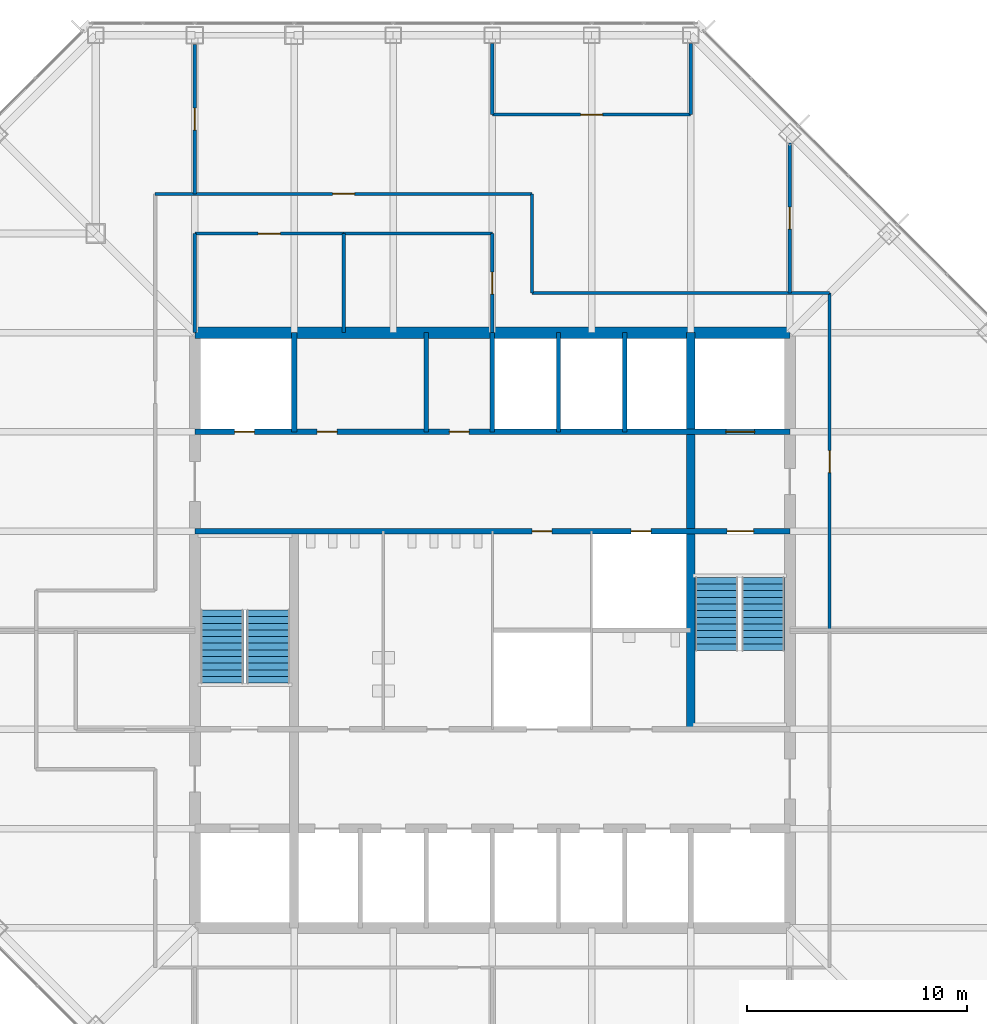
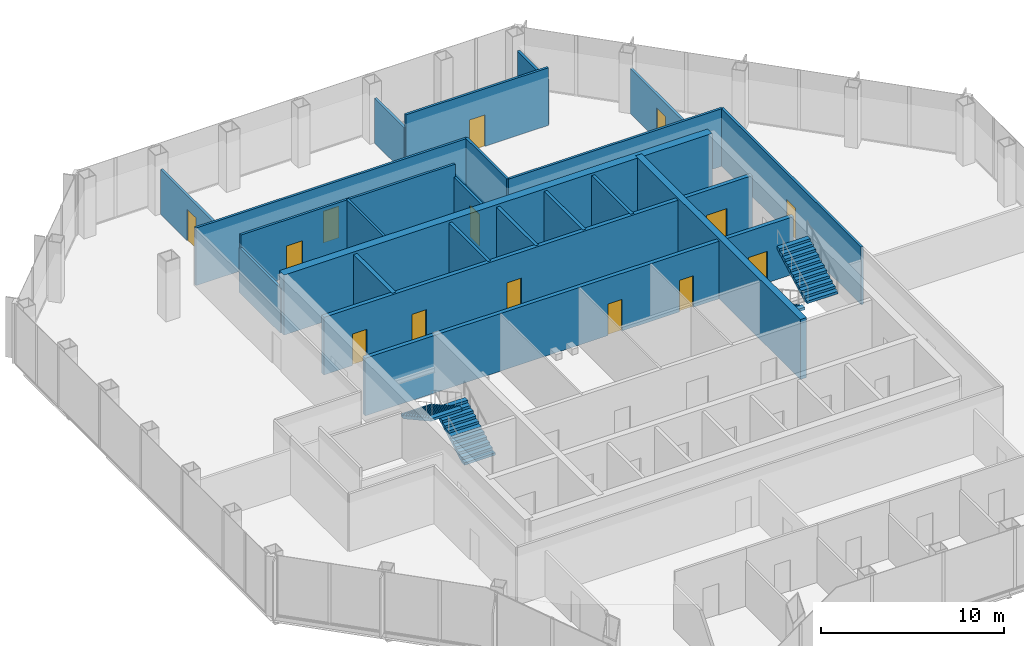
# One storey, part 10 of 12: 23 walls, 14 doors, 4 stair flights, 14 openings, 2 elements without a shape of their own.
"""IFC4 building model written with IfcOpenShell, lengths in metres."""

from ifc_helpers import new_model, si_unit, direction, frame, frame_2d, origin, place, context, subcontext, project, spatial, polyline, rectangle, outline, extrude, material, layer, layer_set, type_object, element, fill, aggregate, save


model = new_model("IFC4")

# Units and contexts
model_context = context("Model", 3, precision=1e-05, world=origin(), true_north=direction((0.0, 1.0)))
body_context = subcontext(model_context, "Body", "Model", "MODEL_VIEW")
ifc_project = project(units=[si_unit("LENGTHUNIT", "METRE"), si_unit("AREAUNIT", "SQUARE_METRE"), si_unit("VOLUMEUNIT", "CUBIC_METRE"), si_unit("PLANEANGLEUNIT", "RADIAN"), si_unit("MASSUNIT", "GRAM", prefix="KILO")], contexts=[model_context])

# Site, building, storey
site_placement = place(None, origin())
site = spatial("IfcSite", under=ifc_project, at=site_placement, CompositionType="ELEMENT")
building_placement = place(site_placement, origin())
building = spatial("IfcBuilding", under=site, at=building_placement, Name="Corais Broadcast Tower", CompositionType="ELEMENT")
storey_placement = place(building_placement, frame((0.0, 0.0, 147.60009765625)))
storey = spatial("IfcBuildingStorey", under=building, at=storey_placement, Name="L33", CompositionType="ELEMENT", Elevation=147.60009765625)

# Wall
ifc_material_1 = material(Name="Concrete blockwork class A, grouted, two-hour", Category="masonry")
ifc_layer_1 = layer(ifc_material_1, 0.25)
ifc_layer_set_1 = layer_set([ifc_layer_1], Name="Concrete blockwork class A, grouted, two-hour")
wall_type_1 = type_object("IfcWallType", Name="Core lobby wall 250", PredefinedType="SOLIDWALL", material=ifc_layer_set_1)
wall_1_placement = place(storey_placement, frame((18.0, 36.0, 0.0), z_axis=(0.0, 0.0, 1.0), x_axis=(0.0, 1.0, 0.0)))
element("IfcWall", 1, at=wall_1_placement, inside=storey, type_object=wall_type_1, Name="CL2 core shaft wall X18B L33", PredefinedType="SOLIDWALL", context=body_context, shape_type="SweptSolid", body=[
    extrude(rectangle(XDim=4.5, YDim=0.25, at=frame_2d((2.25, 0.0))), origin(), (0.0, 0.0, 1.0), 3.83984375),
])

# Wall, openings, doors
wall_2_placement = place(storey_placement, frame((13.5, 31.5, 0.0), z_axis=(0.0, 0.0, 1.0), x_axis=(1.0, 0.0, 0.0)))
wall_2 = element("IfcWall", 2, at=wall_2_placement, inside=storey, type_object=wall_type_1, Name="CL2 core lobby wall Y315 L33", PredefinedType="SOLIDWALL", context=body_context, shape_type="SweptSolid", body=[
    extrude(rectangle(XDim=27.0, YDim=0.25, at=frame_2d((13.5, 0.0))), origin(), (0.0, 0.0, 1.0), 3.83984375),
])
opening_1_placement = place(wall_2_placement, frame((24.14990234375, 0.0, 0.0)))
opening_1 = element("IfcOpeningElement", 3, at=opening_1_placement, cuts=wall_2, Name="Opening FD1", PredefinedType="OPENING", context=body_context, shape_type="SweptSolid", body=[
    extrude(rectangle(XDim=1.199951171875, YDim=2.10009765625, at=frame_2d((0.60009765625, 1.050048828125))), frame((0.0, 0.135009765625, 0.0), z_axis=(0.0, -1.0, 0.0), x_axis=(1.0, 0.0, 0.0)), (0.0, 0.0, 1.0), 0.27001953125),
])
opening_2_placement = place(wall_2_placement, frame((15.300048828125, 0.0, 0.0)))
opening_2 = element("IfcOpeningElement", 4, at=opening_2_placement, cuts=wall_2, Name="Opening RD1", PredefinedType="OPENING", context=body_context, shape_type="SweptSolid", body=[
    extrude(rectangle(XDim=0.89990234375, YDim=2.10009765625, at=frame_2d((0.449951171875, 1.050048828125))), frame((0.0, 0.135009765625, 0.0), z_axis=(0.0, -1.0, 0.0), x_axis=(1.0, 0.0, 0.0)), (0.0, 0.0, 1.0), 0.27001953125),
])
opening_3_placement = place(wall_2_placement, frame((19.800048828125, 0.0, 0.0)))
opening_3 = element("IfcOpeningElement", 5, at=opening_3_placement, cuts=wall_2, Name="Opening RD1", PredefinedType="OPENING", context=body_context, shape_type="SweptSolid", body=[
    extrude(rectangle(XDim=0.89990234375, YDim=2.10009765625, at=frame_2d((0.449951171875, 1.050048828125))), frame((0.0, 0.135009765625, 0.0), z_axis=(0.0, -1.0, 0.0), x_axis=(1.0, 0.0, 0.0)), (0.0, 0.0, 1.0), 0.27001953125),
])
ifc_material_2 = material(Name="Steel fire door", Category="steel")
door_type_1 = type_object("IfcDoorType", Name="Fire door 1200x2100", OperationType="SINGLE_SWING_LEFT", PredefinedType="DOOR", material=ifc_material_2)
door_1_placement = place(opening_1_placement, origin())
door_1 = element("IfcDoor", 6, at=door_1_placement, inside=storey, type_object=door_type_1, Name="FD1 stair B door L33", OperationType="SINGLE_SWING_RIGHT", OverallHeight=2.10009765625, OverallWidth=1.199951171875, PredefinedType="DOOR", context=body_context, shape_type="SweptSolid", body=[
    extrude(rectangle(XDim=1.199951171875, YDim=2.10009765625, at=frame_2d((0.60009765625, 1.050048828125))), frame((0.0, 0.02490234375, 0.0), z_axis=(0.0, -1.0, 0.0), x_axis=(1.0, 0.0, 0.0)), (0.0, 0.0, 1.0), 0.050048828125),
])
fill(opening_1, door_1)
ifc_material_3 = material(Name="Steel fire door", Category="steel")
door_type_2 = type_object("IfcDoorType", Name="Riser door 900x2100", OperationType="SINGLE_SWING_LEFT", PredefinedType="DOOR", material=ifc_material_3)
door_2_placement = place(opening_2_placement, origin())
door_2 = element("IfcDoor", 7, at=door_2_placement, inside=storey, type_object=door_type_2, Name="RD1 stationery store door L33", OperationType="SINGLE_SWING_RIGHT", OverallHeight=2.10009765625, OverallWidth=0.89990234375, PredefinedType="DOOR", context=body_context, shape_type="SweptSolid", body=[
    extrude(rectangle(XDim=0.89990234375, YDim=2.10009765625, at=frame_2d((0.449951171875, 1.050048828125))), frame((0.0, 0.02490234375, 0.0), z_axis=(0.0, -1.0, 0.0), x_axis=(1.0, 0.0, 0.0)), (0.0, 0.0, 1.0), 0.050048828125),
])
fill(opening_2, door_2)
door_3_placement = place(opening_3_placement, origin())
door_3 = element("IfcDoor", 8, at=door_3_placement, inside=storey, type_object=door_type_2, Name="RD1 riser door L33", OperationType="SINGLE_SWING_RIGHT", OverallHeight=2.10009765625, OverallWidth=0.89990234375, PredefinedType="DOOR", context=body_context, shape_type="SweptSolid", body=[
    extrude(rectangle(XDim=0.89990234375, YDim=2.10009765625, at=frame_2d((0.449951171875, 1.050048828125))), frame((0.0, 0.02490234375, 0.0), z_axis=(0.0, -1.0, 0.0), x_axis=(1.0, 0.0, 0.0)), (0.0, 0.0, 1.0), 0.050048828125),
])
fill(opening_3, door_3)

# Walls
ifc_material_4 = material(Name="Concrete C50/60", Category="concrete")
ifc_layer_2 = layer(ifc_material_4, 0.39990234375)
ifc_layer_set_2 = layer_set([ifc_layer_2], Name="Concrete C50/60")
wall_type_2 = type_object("IfcWallType", Name="Core wall 400", PredefinedType="SHEAR", material=ifc_layer_set_2)
wall_3_placement = place(storey_placement, frame((36.0, 22.5, 0.0), z_axis=(0.0, 0.0, 1.0), x_axis=(0.0, 1.0, 0.0)))
element("IfcWall", 9, at=wall_3_placement, inside=storey, type_object=wall_type_2, Name="CR400 core wall X36B L33", PredefinedType="SHEAR", context=body_context, shape_type="SweptSolid", body=[
    extrude(rectangle(XDim=18.0, YDim=0.39990234375, at=frame_2d((9.0, 0.0))), origin(), (0.0, 0.0, 1.0), 4.0),
])
ifc_material_5 = material(Name="Concrete C50/60", Category="concrete")
ifc_layer_3 = layer(ifc_material_5, 0.5)
ifc_layer_set_3 = layer_set([ifc_layer_3], Name="Concrete C50/60")
wall_type_3 = type_object("IfcWallType", Name="Core wall 500", PredefinedType="SHEAR", material=ifc_layer_set_3)
wall_4_placement = place(storey_placement, frame((40.5, 40.5, 0.0), z_axis=(0.0, 0.0, 1.0), x_axis=(-1.0, 0.0, 0.0)))
element("IfcWall", 10, at=wall_4_placement, inside=storey, type_object=wall_type_3, Name="CR500 core wall N L33", PredefinedType="SHEAR", context=body_context, shape_type="SweptSolid", body=[
    extrude(rectangle(XDim=27.0, YDim=0.5, at=frame_2d((13.5, 0.0))), origin(), (0.0, 0.0, 1.0), 4.0),
])

# Wall, openings, doors
ifc_material_6 = material(Name="Concrete blockwork class A, grouted, four-hour", Category="masonry")
ifc_layer_4 = layer(ifc_material_6, 0.25)
ifc_layer_set_4 = layer_set([ifc_layer_4], Name="Concrete blockwork class A, grouted, four-hour")
wall_type_4 = type_object("IfcWallType", Name="Emergency lift shaft wall 250", PredefinedType="SOLIDWALL", material=ifc_layer_set_4)
wall_5_placement = place(storey_placement, frame((13.5, 36.0, 0.0), z_axis=(0.0, 0.0, 1.0), x_axis=(1.0, 0.0, 0.0)))
wall_5 = element("IfcWall", 11, at=wall_5_placement, inside=storey, type_object=wall_type_4, Name="LS2 core lobby wall Y36 L33", PredefinedType="SOLIDWALL", context=body_context, shape_type="SweptSolid", body=[
    extrude(rectangle(XDim=27.0, YDim=0.25, at=frame_2d((13.5, 0.0))), origin(), (0.0, 0.0, 1.0), 3.83984375),
])
opening_4_placement = place(wall_5_placement, frame((1.800048828125, 0.0, 0.0)))
opening_4 = element("IfcOpeningElement", 12, at=opening_4_placement, cuts=wall_5, Name="Opening RD1", PredefinedType="OPENING", context=body_context, shape_type="SweptSolid", body=[
    extrude(rectangle(XDim=0.89990234375, YDim=2.10009765625, at=frame_2d((0.449951171875, 1.050048828125))), frame((0.0, 0.135009765625, 0.0), z_axis=(0.0, -1.0, 0.0), x_axis=(1.0, 0.0, 0.0)), (0.0, 0.0, 1.0), 0.27001953125),
])
opening_5_placement = place(wall_5_placement, frame((5.550048828125, 0.0, 0.0)))
opening_5 = element("IfcOpeningElement", 13, at=opening_5_placement, cuts=wall_5, Name="Opening RD1", PredefinedType="OPENING", context=body_context, shape_type="SweptSolid", body=[
    extrude(rectangle(XDim=0.89990234375, YDim=2.10009765625, at=frame_2d((0.449951171875, 1.050048828125))), frame((0.0, 0.135009765625, 0.0), z_axis=(0.0, -1.0, 0.0), x_axis=(1.0, 0.0, 0.0)), (0.0, 0.0, 1.0), 0.27001953125),
])
opening_6_placement = place(wall_5_placement, frame((11.550048828125, 0.0, 0.0)))
opening_6 = element("IfcOpeningElement", 14, at=opening_6_placement, cuts=wall_5, Name="Opening RD1", PredefinedType="OPENING", context=body_context, shape_type="SweptSolid", body=[
    extrude(rectangle(XDim=0.89990234375, YDim=2.10009765625, at=frame_2d((0.449951171875, 1.050048828125))), frame((0.0, 0.135009765625, 0.0), z_axis=(0.0, -1.0, 0.0), x_axis=(1.0, 0.0, 0.0)), (0.0, 0.0, 1.0), 0.27001953125),
])
opening_7_placement = place(wall_5_placement, frame((24.10009765625, 0.0, 0.0)))
opening_7 = element("IfcOpeningElement", 15, at=opening_7_placement, cuts=wall_5, Name="Opening LD2", PredefinedType="OPENING", context=body_context, shape_type="SweptSolid", body=[
    extrude(rectangle(XDim=1.300048828125, YDim=2.199951171875, at=frame_2d((0.64990234375, 1.10009765625))), frame((0.0, 0.135009765625, 0.0), z_axis=(0.0, -1.0, 0.0), x_axis=(1.0, 0.0, 0.0)), (0.0, 0.0, 1.0), 0.27001953125),
])
ifc_material_7 = material(Name="Stainless steel lift door", Category="steel")
door_type_3 = type_object("IfcDoorType", Name="Lift landing door 1300x2200", OperationType="SLIDING_TO_LEFT", PredefinedType="DOOR", material=ifc_material_7)
door_4_placement = place(opening_7_placement, origin())
door_4 = element("IfcDoor", 16, at=door_4_placement, inside=storey, type_object=door_type_3, Name="LD2 FL2 landing door L33", OperationType="SLIDING_TO_LEFT", OverallHeight=2.199951171875, OverallWidth=1.300048828125, PredefinedType="DOOR", context=body_context, shape_type="SweptSolid", body=[
    extrude(rectangle(XDim=1.300048828125, YDim=2.199951171875, at=frame_2d((0.64990234375, 1.10009765625))), frame((0.0, 0.02490234375, 0.0), z_axis=(0.0, -1.0, 0.0), x_axis=(1.0, 0.0, 0.0)), (0.0, 0.0, 1.0), 0.050048828125),
])
fill(opening_7, door_4)
door_5_placement = place(opening_4_placement, origin())
door_5 = element("IfcDoor", 17, at=door_5_placement, inside=storey, type_object=door_type_2, Name="RD1 riser door L33", OperationType="SINGLE_SWING_LEFT", OverallHeight=2.10009765625, OverallWidth=0.89990234375, PredefinedType="DOOR", context=body_context, shape_type="SweptSolid", body=[
    extrude(rectangle(XDim=0.89990234375, YDim=2.10009765625, at=frame_2d((0.449951171875, 1.050048828125))), frame((0.0, 0.02490234375, 0.0), z_axis=(0.0, -1.0, 0.0), x_axis=(1.0, 0.0, 0.0)), (0.0, 0.0, 1.0), 0.050048828125),
])
fill(opening_4, door_5)
door_6_placement = place(opening_5_placement, origin())
door_6 = element("IfcDoor", 18, at=door_6_placement, inside=storey, type_object=door_type_2, Name="RD1 media store door L33", OperationType="SINGLE_SWING_LEFT", OverallHeight=2.10009765625, OverallWidth=0.89990234375, PredefinedType="DOOR", context=body_context, shape_type="SweptSolid", body=[
    extrude(rectangle(XDim=0.89990234375, YDim=2.10009765625, at=frame_2d((0.449951171875, 1.050048828125))), frame((0.0, 0.02490234375, 0.0), z_axis=(0.0, -1.0, 0.0), x_axis=(1.0, 0.0, 0.0)), (0.0, 0.0, 1.0), 0.050048828125),
])
fill(opening_5, door_6)
door_7_placement = place(opening_6_placement, origin())
door_7 = element("IfcDoor", 19, at=door_7_placement, inside=storey, type_object=door_type_2, Name="RD1 tea point door L33", OperationType="SINGLE_SWING_LEFT", OverallHeight=2.10009765625, OverallWidth=0.89990234375, PredefinedType="DOOR", context=body_context, shape_type="SweptSolid", body=[
    extrude(rectangle(XDim=0.89990234375, YDim=2.10009765625, at=frame_2d((0.449951171875, 1.050048828125))), frame((0.0, 0.02490234375, 0.0), z_axis=(0.0, -1.0, 0.0), x_axis=(1.0, 0.0, 0.0)), (0.0, 0.0, 1.0), 0.050048828125),
])
fill(opening_6, door_7)

# Wall, opening, door
ifc_material_8 = material(Name="Gypsum board on steel studs", Category="steel")
ifc_layer_5 = layer(ifc_material_8, 0.14990234375)
ifc_layer_set_5 = layer_set([ifc_layer_5], Name="Gypsum board on steel studs")
wall_type_5 = type_object("IfcWallType", Name="Partition 150", PredefinedType="PARTITIONING", material=ifc_layer_set_5)
wall_6_placement = place(storey_placement, frame((28.800048828125, 46.800048828125, 0.0), z_axis=(0.0, 0.0, 1.0), x_axis=(-1.0, 0.0, 0.0)))
wall_6 = element("IfcWall", 20, at=wall_6_placement, inside=storey, type_object=wall_type_5, Name="IW3 corridor wall L33", PredefinedType="PARTITIONING", context=body_context, shape_type="SweptSolid", body=[
    extrude(rectangle(XDim=17.10009765625, YDim=0.14990234375, at=frame_2d((8.550048828125, 0.0))), origin(), (0.0, 0.0, 1.0), 3.83984375),
])
opening_8_placement = place(wall_6_placement, frame((8.050048828125, 0.0, 0.0)))
opening_8 = element("IfcOpeningElement", 21, at=opening_8_placement, cuts=wall_6, Name="Opening D1", PredefinedType="OPENING", context=body_context, shape_type="SweptSolid", body=[
    extrude(rectangle(XDim=1.0, YDim=2.10009765625, at=frame_2d((0.5, 1.050048828125))), frame((0.0, 0.0849609375, 0.0), z_axis=(0.0, -1.0, 0.0), x_axis=(1.0, 0.0, 0.0)), (0.0, 0.0, 1.0), 0.169921875),
])
ifc_material_9 = material(Name="Timber door", Category="wood")
door_type_4 = type_object("IfcDoorType", Name="Single door 1000x2100", OperationType="SINGLE_SWING_LEFT", PredefinedType="DOOR", material=ifc_material_9)
door_8_placement = place(opening_8_placement, origin())
door_8 = element("IfcDoor", 22, at=door_8_placement, inside=storey, type_object=door_type_4, Name="D1 workplace door L33", OperationType="SINGLE_SWING_LEFT", OverallHeight=2.10009765625, OverallWidth=1.0, PredefinedType="DOOR", context=body_context, shape_type="SweptSolid", body=[
    extrude(rectangle(XDim=1.0, YDim=2.10009765625, at=frame_2d((0.5, 1.050048828125))), frame((0.0, 0.02490234375, 0.0), z_axis=(0.0, -1.0, 0.0), x_axis=(1.0, 0.0, 0.0)), (0.0, 0.0, 1.0), 0.050048828125),
])
fill(opening_8, door_8)

wall_7_placement = place(storey_placement, frame((42.300048828125, 27.00048828125, 0.0), z_axis=(0.0, 0.0, 1.0), x_axis=(0.0, 1.0, 0.0)))
wall_7 = element("IfcWall", 23, at=wall_7_placement, inside=storey, type_object=wall_type_5, Name="IW3 corridor wall L33", PredefinedType="PARTITIONING", context=body_context, shape_type="SweptSolid", body=[
    extrude(rectangle(XDim=15.299560546875, YDim=0.14990234375, at=frame_2d((7.64990234375, 0.0))), origin(), (0.0, 0.0, 1.0), 3.83984375),
])
opening_9_placement = place(wall_7_placement, frame((7.149658203125, 0.0, 0.0)))
opening_9 = element("IfcOpeningElement", 24, at=opening_9_placement, cuts=wall_7, Name="Opening D1", PredefinedType="OPENING", context=body_context, shape_type="SweptSolid", body=[
    extrude(rectangle(XDim=1.0, YDim=2.10009765625, at=frame_2d((0.5, 1.050048828125))), frame((0.0, 0.0849609375, 0.0), z_axis=(0.0, -1.0, 0.0), x_axis=(1.0, 0.0, 0.0)), (0.0, 0.0, 1.0), 0.169921875),
])
door_9_placement = place(opening_9_placement, origin())
door_9 = element("IfcDoor", 25, at=door_9_placement, inside=storey, type_object=door_type_4, Name="D1 workplace door L33", OperationType="SINGLE_SWING_LEFT", OverallHeight=2.10009765625, OverallWidth=1.0, PredefinedType="DOOR", context=body_context, shape_type="SweptSolid", body=[
    extrude(rectangle(XDim=1.0, YDim=2.10009765625, at=frame_2d((0.5, 1.050048828125))), frame((0.0, 0.02490234375, 0.0), z_axis=(0.0, -1.0, 0.0), x_axis=(1.0, 0.0, 0.0)), (0.0, 0.0, 1.0), 0.050048828125),
])
fill(opening_9, door_9)

# Walls
wall_8_placement = place(storey_placement, frame((42.300048828125, 42.300048828125, 0.0), z_axis=(0.0, 0.0, 1.0), x_axis=(-1.0, 0.0, 0.0)))
element("IfcWall", 26, at=wall_8_placement, inside=storey, type_object=wall_type_5, Name="IW3 corridor wall L33", PredefinedType="PARTITIONING", context=body_context, shape_type="SweptSolid", body=[
    extrude(rectangle(XDim=13.5, YDim=0.14990234375, at=frame_2d((6.75, 0.0))), origin(), (0.0, 0.0, 1.0), 3.83984375),
])
for number, where, z_axis, x_axis, name in (
    (27, (28.800048828125, 42.300048828125, 0.0), (0.0, 0.0, 1.0), (0.0, 1.0, 0.0), "IW3 corridor wall L33"),
    (28, (20.25, 40.5, 0.0), (0.0, 0.0, 1.0), (0.0, 1.0, 0.0), "IW3 partition L33"),
):
    element("IfcWall", number, at=place(storey_placement, frame(where, z_axis=z_axis, x_axis=x_axis)), inside=storey, type_object=wall_type_5, Name=name, PredefinedType="PARTITIONING", context=body_context, shape_type="SweptSolid", body=[
        extrude(rectangle(XDim=4.5, YDim=0.14990234375, at=frame_2d((2.25, 0.0))), origin(), (0.0, 0.0, 1.0), 3.83984375),
    ])

# Wall, opening, door
wall_9_placement = place(storey_placement, frame((20.25, 45.0, 0.0), z_axis=(0.0, 0.0, 1.0), x_axis=(-1.0, 0.0, 0.0)))
wall_9 = element("IfcWall", 29, at=wall_9_placement, inside=storey, type_object=wall_type_5, Name="IW3 partition L33", PredefinedType="PARTITIONING", context=body_context, shape_type="SweptSolid", body=[
    extrude(rectangle(XDim=6.75, YDim=0.14990234375, at=frame_2d((3.375, 0.0))), origin(), (0.0, 0.0, 1.0), 3.83984375),
])
opening_10_placement = place(wall_9_placement, frame((2.875, 0.0, 0.0)))
opening_10 = element("IfcOpeningElement", 30, at=opening_10_placement, cuts=wall_9, Name="Opening D1", PredefinedType="OPENING", context=body_context, shape_type="SweptSolid", body=[
    extrude(rectangle(XDim=1.0, YDim=2.10009765625, at=frame_2d((0.5, 1.050048828125))), frame((0.0, 0.0849609375, 0.0), z_axis=(0.0, -1.0, 0.0), x_axis=(1.0, 0.0, 0.0)), (0.0, 0.0, 1.0), 0.169921875),
])
door_10_placement = place(opening_10_placement, origin())
door_10 = element("IfcDoor", 31, at=door_10_placement, inside=storey, type_object=door_type_4, Name="D1 Meeting room door", OperationType="SINGLE_SWING_LEFT", OverallHeight=2.10009765625, OverallWidth=1.0, PredefinedType="DOOR", context=body_context, shape_type="SweptSolid", body=[
    extrude(rectangle(XDim=1.0, YDim=2.10009765625, at=frame_2d((0.5, 1.050048828125))), frame((0.0, 0.02490234375, 0.0), z_axis=(0.0, -1.0, 0.0), x_axis=(1.0, 0.0, 0.0)), (0.0, 0.0, 1.0), 0.050048828125),
])
fill(opening_10, door_10)

# Wall
wall_10_placement = place(storey_placement, frame((13.5, 45.0, 0.0), z_axis=(0.0, 0.0, 1.0), x_axis=(0.0, -1.0, 0.0)))
element("IfcWall", 32, at=wall_10_placement, inside=storey, type_object=wall_type_5, Name="IW3 partition L33", PredefinedType="PARTITIONING", context=body_context, shape_type="SweptSolid", body=[
    extrude(rectangle(XDim=4.5, YDim=0.14990234375, at=frame_2d((2.25, 0.0))), origin(), (0.0, 0.0, 1.0), 2.989013671875),
])

# Wall, opening, door
wall_11_placement = place(storey_placement, frame((27.0, 40.5, 0.0), z_axis=(0.0, 0.0, 1.0), x_axis=(0.0, 1.0, 0.0)))
wall_11 = element("IfcWall", 33, at=wall_11_placement, inside=storey, type_object=wall_type_5, Name="IW3 partition L33", PredefinedType="PARTITIONING", context=body_context, shape_type="SweptSolid", body=[
    extrude(rectangle(XDim=4.5, YDim=0.14990234375, at=frame_2d((2.25, 0.0))), origin(), (0.0, 0.0, 1.0), 2.989013671875),
])
opening_11_placement = place(wall_11_placement, frame((1.75, 0.0, 0.0)))
opening_11 = element("IfcOpeningElement", 34, at=opening_11_placement, cuts=wall_11, Name="Opening D1", PredefinedType="OPENING", context=body_context, shape_type="SweptSolid", body=[
    extrude(rectangle(XDim=1.0, YDim=2.10009765625, at=frame_2d((0.5, 1.050048828125))), frame((0.0, 0.0849609375, 0.0), z_axis=(0.0, -1.0, 0.0), x_axis=(1.0, 0.0, 0.0)), (0.0, 0.0, 1.0), 0.169921875),
])
door_11_placement = place(opening_11_placement, origin())
door_11 = element("IfcDoor", 35, at=door_11_placement, inside=storey, type_object=door_type_4, Name="D1 Meeting room door", OperationType="SINGLE_SWING_LEFT", OverallHeight=2.10009765625, OverallWidth=1.0, PredefinedType="DOOR", context=body_context, shape_type="SweptSolid", body=[
    extrude(rectangle(XDim=1.0, YDim=2.10009765625, at=frame_2d((0.5, 1.050048828125))), frame((0.0, 0.02490234375, 0.0), z_axis=(0.0, -1.0, 0.0), x_axis=(1.0, 0.0, 0.0)), (0.0, 0.0, 1.0), 0.050048828125),
])
fill(opening_11, door_11)

# Wall
wall_12_placement = place(storey_placement, frame((27.0, 45.0, 0.0), z_axis=(0.0, 0.0, 1.0), x_axis=(-1.0, 0.0, 0.0)))
element("IfcWall", 36, at=wall_12_placement, inside=storey, type_object=wall_type_5, Name="IW3 partition L33", PredefinedType="PARTITIONING", context=body_context, shape_type="SweptSolid", body=[
    extrude(rectangle(XDim=6.75, YDim=0.14990234375, at=frame_2d((3.375, 0.0))), origin(), (0.0, 0.0, 1.0), 3.83984375),
])

# Wall, opening, door
wall_13_placement = place(storey_placement, frame((27.0, 50.39990234375, 0.0), z_axis=(0.0, 0.0, 1.0), x_axis=(1.0, 0.0, 0.0)))
wall_13 = element("IfcWall", 37, at=wall_13_placement, inside=storey, type_object=wall_type_5, Name="IW3 partition L33", PredefinedType="PARTITIONING", context=body_context, shape_type="SweptSolid", body=[
    extrude(rectangle(XDim=9.0, YDim=0.14990234375, at=frame_2d((4.5, 0.0))), origin(), (0.0, 0.0, 1.0), 3.83984375),
])
opening_12_placement = place(wall_13_placement, frame((4.0, 0.0, 0.0)))
opening_12 = element("IfcOpeningElement", 38, at=opening_12_placement, cuts=wall_13, Name="Opening D1", PredefinedType="OPENING", context=body_context, shape_type="SweptSolid", body=[
    extrude(rectangle(XDim=1.0, YDim=2.10009765625, at=frame_2d((0.5, 1.050048828125))), frame((0.0, 0.0849609375, 0.0), z_axis=(0.0, -1.0, 0.0), x_axis=(1.0, 0.0, 0.0)), (0.0, 0.0, 1.0), 0.169921875),
])
door_12_placement = place(opening_12_placement, origin())
door_12 = element("IfcDoor", 39, at=door_12_placement, inside=storey, type_object=door_type_4, Name="D1 Pantry door", OperationType="SINGLE_SWING_LEFT", OverallHeight=2.10009765625, OverallWidth=1.0, PredefinedType="DOOR", context=body_context, shape_type="SweptSolid", body=[
    extrude(rectangle(XDim=1.0, YDim=2.10009765625, at=frame_2d((0.5, 1.050048828125))), frame((0.0, 0.02490234375, 0.0), z_axis=(0.0, -1.0, 0.0), x_axis=(1.0, 0.0, 0.0)), (0.0, 0.0, 1.0), 0.050048828125),
])
fill(opening_12, door_12)

# Walls
for number, where, z_axis, x_axis, name in (
    (40, (36.0, 50.39990234375, 0.0), (0.0, 0.0, 1.0), (0.0, 1.0, 0.0), "IW3 partition L33"),
    (41, (27.0, 53.614990234375, 0.0), (0.0, 0.0, 1.0), (0.0, -1.0, 0.0), "IW3 partition L33"),
):
    element("IfcWall", number, at=place(storey_placement, frame(where, z_axis=z_axis, x_axis=x_axis)), inside=storey, type_object=wall_type_5, Name=name, PredefinedType="PARTITIONING", context=body_context, shape_type="SweptSolid", body=[
        extrude(rectangle(XDim=3.215087890625, YDim=0.14990234375, at=frame_2d((1.607421875, 0.0))), origin(), (0.0, 0.0, 1.0), 2.989013671875),
    ])

# Wall, opening, door
wall_14_placement = place(storey_placement, frame((40.5, 49.10498046875, 0.0), z_axis=(0.0, 0.0, 1.0), x_axis=(0.0, -1.0, 0.0)))
wall_14 = element("IfcWall", 42, at=wall_14_placement, inside=storey, type_object=wall_type_5, Name="IW3 partition L33", PredefinedType="PARTITIONING", context=body_context, shape_type="SweptSolid", body=[
    extrude(rectangle(XDim=6.804931640625, YDim=0.14990234375, at=frame_2d((3.40234375, 0.0))), origin(), (0.0, 0.0, 1.0), 2.989013671875),
])
opening_13_placement = place(wall_14_placement, frame((2.902587890625, 0.0, 0.0)))
opening_13 = element("IfcOpeningElement", 43, at=opening_13_placement, cuts=wall_14, Name="Opening D1", PredefinedType="OPENING", context=body_context, shape_type="SweptSolid", body=[
    extrude(rectangle(XDim=1.0, YDim=2.10009765625, at=frame_2d((0.5, 1.050048828125))), frame((0.0, 0.0849609375, 0.0), z_axis=(0.0, -1.0, 0.0), x_axis=(1.0, 0.0, 0.0)), (0.0, 0.0, 1.0), 0.169921875),
])
door_13_placement = place(opening_13_placement, origin())
door_13 = element("IfcDoor", 44, at=door_13_placement, inside=storey, type_object=door_type_4, Name="D1 team room door L33", OperationType="SINGLE_SWING_LEFT", OverallHeight=2.10009765625, OverallWidth=1.0, PredefinedType="DOOR", context=body_context, shape_type="SweptSolid", body=[
    extrude(rectangle(XDim=1.0, YDim=2.10009765625, at=frame_2d((0.5, 1.050048828125))), frame((0.0, 0.02490234375, 0.0), z_axis=(0.0, -1.0, 0.0), x_axis=(1.0, 0.0, 0.0)), (0.0, 0.0, 1.0), 0.050048828125),
])
fill(opening_13, door_13)

wall_15_placement = place(storey_placement, frame((13.5, 46.800048828125, 0.0), z_axis=(0.0, 0.0, 1.0), x_axis=(0.0, 1.0, 0.0)))
wall_15 = element("IfcWall", 45, at=wall_15_placement, inside=storey, type_object=wall_type_5, Name="IW3 partition L33", PredefinedType="PARTITIONING", context=body_context, shape_type="SweptSolid", body=[
    extrude(rectangle(XDim=6.780029296875, YDim=0.14990234375, at=frame_2d((3.39013671875, 0.0))), origin(), (0.0, 0.0, 1.0), 2.989013671875),
])
opening_14_placement = place(wall_15_placement, frame((2.889892578125, 0.0, 0.0)))
opening_14 = element("IfcOpeningElement", 46, at=opening_14_placement, cuts=wall_15, Name="Opening D1", PredefinedType="OPENING", context=body_context, shape_type="SweptSolid", body=[
    extrude(rectangle(XDim=1.0, YDim=2.10009765625, at=frame_2d((0.5, 1.050048828125))), frame((0.0, 0.0849609375, 0.0), z_axis=(0.0, -1.0, 0.0), x_axis=(1.0, 0.0, 0.0)), (0.0, 0.0, 1.0), 0.169921875),
])
door_14_placement = place(opening_14_placement, origin())
door_14 = element("IfcDoor", 47, at=door_14_placement, inside=storey, type_object=door_type_4, Name="D1 team room door L33", OperationType="SINGLE_SWING_LEFT", OverallHeight=2.10009765625, OverallWidth=1.0, PredefinedType="DOOR", context=body_context, shape_type="SweptSolid", body=[
    extrude(rectangle(XDim=1.0, YDim=2.10009765625, at=frame_2d((0.5, 1.050048828125))), frame((0.0, 0.02490234375, 0.0), z_axis=(0.0, -1.0, 0.0), x_axis=(1.0, 0.0, 0.0)), (0.0, 0.0, 1.0), 0.050048828125),
])
fill(opening_14, door_14)

# Walls
ifc_material_10 = material(Name="Concrete blockwork class A, grouted, two-hour", Category="masonry")
ifc_layer_6 = layer(ifc_material_10, 0.199951171875)
ifc_layer_set_6 = layer_set([ifc_layer_6], Name="Concrete blockwork class A, grouted, two-hour")
wall_type_6 = type_object("IfcWallType", Name="Shaft wall 200", PredefinedType="PARTITIONING", material=ifc_layer_set_6)
for number, where, z_axis, x_axis, name in (
    (48, (24.0, 36.0, 0.0), (0.0, 0.0, 1.0), (0.0, 1.0, 0.0), "IW1 shaft wall L33"),
    (49, (27.0, 36.0, 0.0), (0.0, 0.0, 1.0), (0.0, 1.0, 0.0), "IW1 shaft wall L33"),
    (50, (30.0, 36.0, 0.0), (0.0, 0.0, 1.0), (0.0, 1.0, 0.0), "IW1 shaft wall L33"),
    (51, (33.0, 36.0, 0.0), (0.0, 0.0, 1.0), (0.0, 1.0, 0.0), "IW1 shaft wall L33"),
):
    element("IfcWall", number, at=place(storey_placement, frame(where, z_axis=z_axis, x_axis=x_axis)), inside=storey, type_object=wall_type_6, Name=name, PredefinedType="PARTITIONING", context=body_context, shape_type="SweptSolid", body=[
        extrude(rectangle(XDim=4.5, YDim=0.199951171875, at=frame_2d((2.25, 0.0))), origin(), (0.0, 0.0, 1.0), 3.83984375),
    ])

# Stair, stair flights
ifc_material_11 = material(Name="Concrete C30/37", Category="concrete")
stair_type = type_object("IfcStairType", Name="Half-turn stair 4000", PredefinedType="HALF_TURN_STAIR", material=ifc_material_11)
stair_1_placement = place(storey_placement, origin())
stair_1 = element("IfcStair", 52, at=stair_1_placement, inside=storey, type_object=stair_type, Name="Stair A L33", PredefinedType="HALF_TURN_STAIR")
ifc_material_12 = material(Name="Concrete C30/37", Category="concrete")
stair_flight_type = type_object("IfcStairFlightType", Name="Stair flight 4000", PredefinedType="STRAIGHT", material=ifc_material_12)
stair_flight_1_placement = place(storey_placement, frame((16.824951171875, 24.60009765625, 0.0), z_axis=(0.0, 0.0, 1.0), x_axis=(0.0, 1.0, 0.0)))
stair_flight_1 = element("IfcStairFlight", 53, at=stair_flight_1_placement, type_object=stair_flight_type, Name="STA flight 1", NumberOfRisers=12, NumberOfTreads=11, PredefinedType="STRAIGHT", RiserHeight=0.166666667, TreadLength=0.302, context=body_context, shape_type="SweptSolid", body=[
    extrude(outline(polyline([(0.0, 0.0), (0.0, 0.166748046875), (0.302001953125, 0.166748046875), (0.302001953125, 0.333251953125), (0.60400390625, 0.333251953125), (0.60400390625, 0.5), (0.906005859375, 0.5), (0.906005859375, 0.666748046875), (1.2080078125, 0.666748046875), (1.2080078125, 0.833251953125), (1.510009765625, 0.833251953125), (1.510009765625, 1.0), (1.81201171875, 1.0), (1.81201171875, 1.166748046875), (2.114013671875, 1.166748046875), (2.114013671875, 1.333251953125), (2.416015625, 1.333251953125), (2.416015625, 1.5), (2.718017578125, 1.5), (2.718017578125, 1.666748046875), (3.02001953125, 1.666748046875), (3.02001953125, 1.833251953125), (3.322021484375, 1.833251953125), (3.322021484375, 2.0), (3.322021484375, 1.662109375), (0.310302734375, 0.0), (0.0, 0.0)])), frame((0.0, 0.97509765625, 0.0), z_axis=(0.0, -1.0, 0.0), x_axis=(1.0, 0.0, 0.0)), (0.0, 0.0, 1.0), 1.949951171875),
])
stair_flight_2_placement = place(storey_placement, frame((14.72509765625, 27.922119140625, 2.0), z_axis=(0.0, 0.0, 1.0), x_axis=(0.0, -1.0, 0.0)))
stair_flight_2 = element("IfcStairFlight", 54, at=stair_flight_2_placement, type_object=stair_flight_type, Name="STA flight 2", NumberOfRisers=12, NumberOfTreads=11, PredefinedType="STRAIGHT", RiserHeight=0.166666667, TreadLength=0.302, context=body_context, shape_type="SweptSolid", body=[
    extrude(outline(polyline([(0.0, 0.0), (0.0, 0.166748046875), (0.302001953125, 0.166748046875), (0.302001953125, 0.333251953125), (0.60400390625, 0.333251953125), (0.60400390625, 0.5), (0.906005859375, 0.5), (0.906005859375, 0.666748046875), (1.2080078125, 0.666748046875), (1.2080078125, 0.833251953125), (1.510009765625, 0.833251953125), (1.510009765625, 1.0), (1.81201171875, 1.0), (1.81201171875, 1.166748046875), (2.114013671875, 1.166748046875), (2.114013671875, 1.333251953125), (2.416015625, 1.333251953125), (2.416015625, 1.5), (2.718017578125, 1.5), (2.718017578125, 1.666748046875), (3.02001953125, 1.666748046875), (3.02001953125, 1.833251953125), (3.322021484375, 1.833251953125), (3.322021484375, 2.0), (3.322021484375, 1.662109375), (0.310302734375, 0.0), (0.0, 0.0)])), frame((0.0, 0.97509765625, 0.0), z_axis=(0.0, -1.0, 0.0), x_axis=(1.0, 0.0, 0.0)), (0.0, 0.0, 1.0), 1.949951171875),
])
aggregate(stair_1, [stair_flight_1, stair_flight_2])

stair_2_placement = place(storey_placement, origin())
stair_2 = element("IfcStair", 55, at=stair_2_placement, inside=storey, type_object=stair_type, Name="Stair B L33", PredefinedType="HALF_TURN_STAIR")
stair_flight_3_placement = place(storey_placement, frame((37.175048828125, 29.39990234375, 0.0), z_axis=(0.0, 0.0, 1.0), x_axis=(0.0, -1.0, 0.0)))
stair_flight_3 = element("IfcStairFlight", 56, at=stair_flight_3_placement, type_object=stair_flight_type, Name="STB flight 1", NumberOfRisers=12, NumberOfTreads=11, PredefinedType="STRAIGHT", RiserHeight=0.166666667, TreadLength=0.302, context=body_context, shape_type="SweptSolid", body=[
    extrude(outline(polyline([(0.0, 0.0), (0.0, 0.166748046875), (0.302001953125, 0.166748046875), (0.302001953125, 0.333251953125), (0.60400390625, 0.333251953125), (0.60400390625, 0.5), (0.906005859375, 0.5), (0.906005859375, 0.666748046875), (1.2080078125, 0.666748046875), (1.2080078125, 0.833251953125), (1.510009765625, 0.833251953125), (1.510009765625, 1.0), (1.81201171875, 1.0), (1.81201171875, 1.166748046875), (2.114013671875, 1.166748046875), (2.114013671875, 1.333251953125), (2.416015625, 1.333251953125), (2.416015625, 1.5), (2.718017578125, 1.5), (2.718017578125, 1.666748046875), (3.02001953125, 1.666748046875), (3.02001953125, 1.833251953125), (3.322021484375, 1.833251953125), (3.322021484375, 2.0), (3.322021484375, 1.662109375), (0.310302734375, 0.0), (0.0, 0.0)])), frame((0.0, 0.97509765625, 0.0), z_axis=(0.0, -1.0, 0.0), x_axis=(1.0, 0.0, 0.0)), (0.0, 0.0, 1.0), 1.949951171875),
])
stair_flight_4_placement = place(storey_placement, frame((39.27490234375, 26.077880859375, 2.0), z_axis=(0.0, 0.0, 1.0), x_axis=(0.0, 1.0, 0.0)))
stair_flight_4 = element("IfcStairFlight", 57, at=stair_flight_4_placement, type_object=stair_flight_type, Name="STB flight 2", NumberOfRisers=12, NumberOfTreads=11, PredefinedType="STRAIGHT", RiserHeight=0.166666667, TreadLength=0.302, context=body_context, shape_type="SweptSolid", body=[
    extrude(outline(polyline([(0.0, 0.0), (0.0, 0.166748046875), (0.302001953125, 0.166748046875), (0.302001953125, 0.333251953125), (0.60400390625, 0.333251953125), (0.60400390625, 0.5), (0.906005859375, 0.5), (0.906005859375, 0.666748046875), (1.2080078125, 0.666748046875), (1.2080078125, 0.833251953125), (1.510009765625, 0.833251953125), (1.510009765625, 1.0), (1.81201171875, 1.0), (1.81201171875, 1.166748046875), (2.114013671875, 1.166748046875), (2.114013671875, 1.333251953125), (2.416015625, 1.333251953125), (2.416015625, 1.5), (2.718017578125, 1.5), (2.718017578125, 1.666748046875), (3.02001953125, 1.666748046875), (3.02001953125, 1.833251953125), (3.322021484375, 1.833251953125), (3.322021484375, 2.0), (3.322021484375, 1.662109375), (0.310302734375, 0.0), (0.0, 0.0)])), frame((0.0, 0.97509765625, 0.0), z_axis=(0.0, -1.0, 0.0), x_axis=(1.0, 0.0, 0.0)), (0.0, 0.0, 1.0), 1.949951171875),
])
aggregate(stair_2, [stair_flight_3, stair_flight_4])

save(model, "model.ifc")
